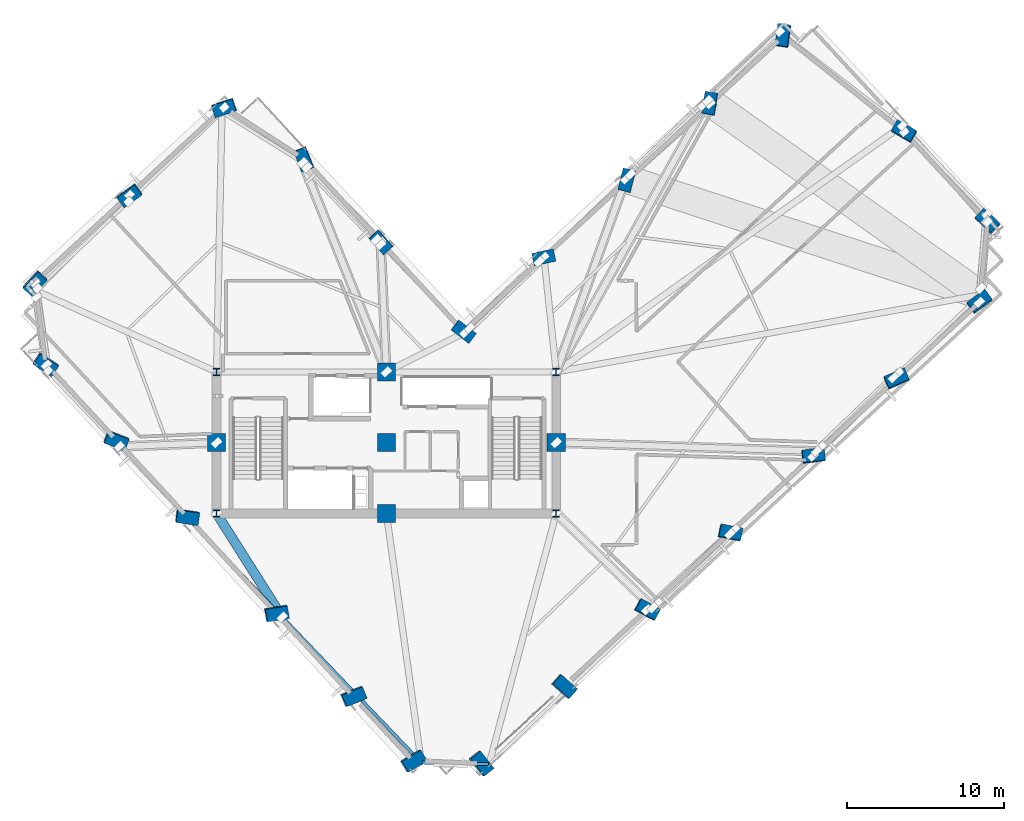
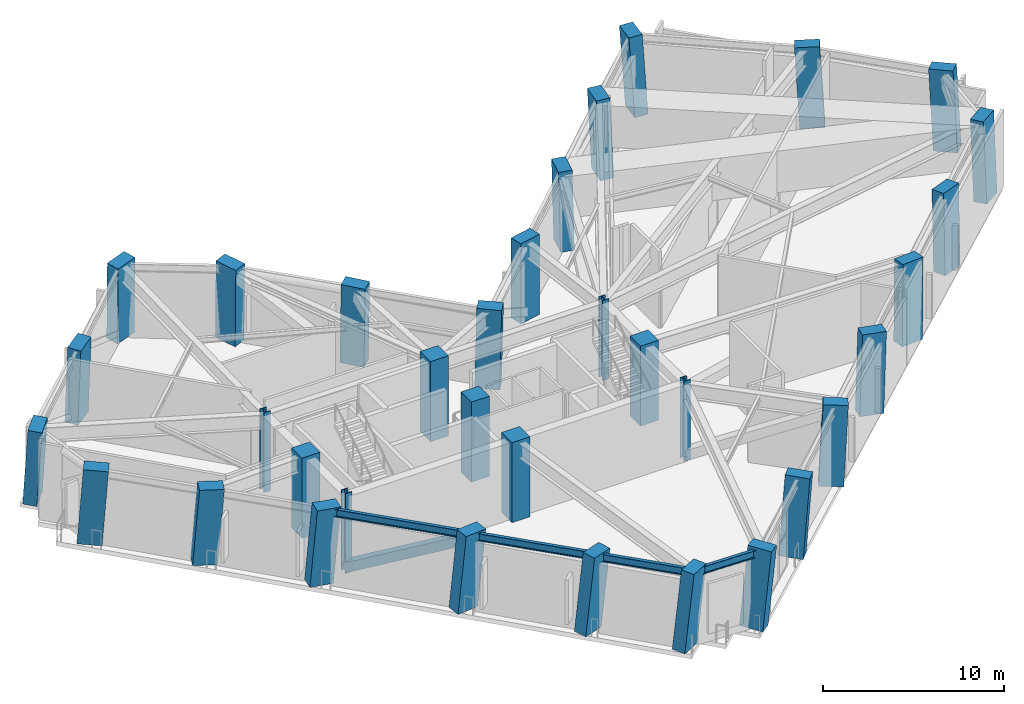
# One storey, part 1 of 15: 34 columns, 4 beams, 1 member.
"""IFC4 building model written with IfcOpenShell, lengths in metres."""

import ifcopenshell
import ifcopenshell.guid

model = None  # the IFC model being written
_history = None  # IfcOwnerHistory: only IFC2X3 demands one
_inside = {}  # id of a spatial element -> (the spatial element, [elements in it])
_under = {}  # id of a project, library or spatial element -> (it, [spatial elements below it])
_declared = {}  # id of a project -> (the project, [libraries it declares])
_typed = {}  # id of a type object -> (the type object, [elements of that type])
_made_of = {}  # id of a material, layer set ... -> (it, [elements and type objects made of it])


def new_model(schema):
    """Start an empty IFC model of exactly this schema.

    Asked for "IFC4X3", IfcOpenShell would pick the latest addendum, in which some entities
    have other attributes; the version numbers below select the first issue.
    IFC2X3 requires an IfcOwnerHistory on every rooted entity: one is made here for all.
    """
    global model, _history
    if schema == "IFC4X3":
        model = ifcopenshell.file(schema_version=(4, 3, 0, 0))
    else:
        model = ifcopenshell.file(schema=schema)
    _inside.clear()
    _under.clear()
    _declared.clear()
    _typed.clear()
    _made_of.clear()
    _history = None
    if model.schema == "IFC2X3":
        org = make("IfcOrganization", Name="unknown")
        user = make(
            "IfcPersonAndOrganization",
            ThePerson=make("IfcPerson", FamilyName="unknown"),
            TheOrganization=org,
        )
        app = make(
            "IfcApplication",
            ApplicationDeveloper=org,
            Version="unknown",
            ApplicationFullName="unknown",
            ApplicationIdentifier="unknown",
        )
        _history = make(
            "IfcOwnerHistory",
            OwningUser=user,
            OwningApplication=app,
            ChangeAction="ADDED",
            CreationDate=0,
        )
    return model


def make(cls, **values):
    """One entity of the class cls with the attributes given. An attribute that is None is left unset."""
    return model.create_entity(
        cls, **{name: value for name, value in values.items() if value is not None}
    )


def rooted(cls, **values):
    """An entity with a GlobalId (a new one), such as an element, a storey or a relation."""
    return make(cls, GlobalId=ifcopenshell.guid.new(), OwnerHistory=_history, **values)


def si_unit(unit_type, name, prefix=None):
    """IfcSIUnit, for example si_unit("LENGTHUNIT", "METRE", prefix="MILLI")."""
    return make("IfcSIUnit", UnitType=unit_type, Prefix=prefix, Name=name)


def assignment(units):
    """IfcUnitAssignment: the units of a project."""
    return None if units is None else make("IfcUnitAssignment", Units=units)


def point(xyz):
    """IfcCartesianPoint."""
    return None if xyz is None else make("IfcCartesianPoint", Coordinates=xyz)


def direction(xyz):
    """IfcDirection."""
    return None if xyz is None else make("IfcDirection", DirectionRatios=xyz)


def frame(location, z_axis=None, x_axis=None):
    """IfcAxis2Placement3D, a coordinate frame: its origin and axes. An axis left out is left unset."""
    return make(
        "IfcAxis2Placement3D",
        Location=point(location),
        Axis=direction(z_axis),
        RefDirection=direction(x_axis),
    )


def frame_2d(location, x_axis=None):
    """IfcAxis2Placement2D, a coordinate frame in the plane: its origin and x axis."""
    return make(
        "IfcAxis2Placement2D", Location=point(location), RefDirection=direction(x_axis)
    )


def origin():
    """The frame at (0, 0, 0) with its axes left unset."""
    return frame((0.0, 0.0, 0.0))


def origin_2d():
    """The frame at (0, 0) in the plane with its x axis left unset."""
    return frame_2d((0.0, 0.0))


def place(relative_to, where):
    """IfcLocalPlacement: puts the frame where relative to a parent placement (None: the world)."""
    return make(
        "IfcLocalPlacement", PlacementRelTo=relative_to, RelativePlacement=where
    )


def context(
    kind, dimensions, precision=None, world=None, true_north=None, identifier=None
):
    """IfcGeometricRepresentationContext, for example the 3D "Model" context."""
    return make(
        "IfcGeometricRepresentationContext",
        ContextIdentifier=identifier,
        ContextType=kind,
        CoordinateSpaceDimension=dimensions,
        Precision=precision,
        WorldCoordinateSystem=world,
        TrueNorth=true_north,
    )


def subcontext(parent, identifier, kind, view, scale=None):
    """IfcGeometricRepresentationSubContext, for example "Body" below "Model"."""
    return make(
        "IfcGeometricRepresentationSubContext",
        ContextIdentifier=identifier,
        ContextType=kind,
        ParentContext=parent,
        TargetScale=scale,
        TargetView=view,
    )


def project(units=None, contexts=None):
    """IfcProject with its units and contexts."""
    return rooted(
        "IfcProject",
        Name="project",
        RepresentationContexts=contexts,
        UnitsInContext=assignment(units),
    )


def spatial(cls, under=None, at=None, **own):
    """A site, building, storey or space (cls), placed at a placement, below another one or the project."""
    s = rooted(cls, ObjectPlacement=at, **own)
    if under is not None:
        _under.setdefault(under.id(), (under, []))[1].append(s)
    return s


def profile(cls, at=None, kind="AREA", **sizes):
    """A parametric profile (cls). Its sizes go by their IFC names, for example OverallWidth=200.0."""
    return make(cls, ProfileType=kind, Position=at, **sizes)


def rectangle(**sizes):
    """IfcRectangleProfileDef."""
    return profile("IfcRectangleProfileDef", **sizes)


def hollow_rectangle(**sizes):
    """IfcRectangleHollowProfileDef."""
    return profile("IfcRectangleHollowProfileDef", **sizes)


def i_section(**sizes):
    """IfcIShapeProfileDef."""
    return profile("IfcIShapeProfileDef", **sizes)


def extrude(swept, where, along, depth):
    """IfcExtrudedAreaSolid: the profile swept, set in the frame where, extruded along a direction by depth."""
    return make(
        "IfcExtrudedAreaSolid",
        SweptArea=swept,
        Position=where,
        ExtrudedDirection=direction(along),
        Depth=depth,
    )


def shape(context_of_items, identifier, shape_type, items):
    """IfcShapeRepresentation: the items that make up one representation, for example the "Body"."""
    return make(
        "IfcShapeRepresentation",
        ContextOfItems=context_of_items,
        RepresentationIdentifier=identifier,
        RepresentationType=shape_type,
        Items=items,
    )


def material(Name=None, Category=None):
    """IfcMaterial."""
    return make("IfcMaterial", Name=Name, Category=Category)


def material_profile(
    of_material, cross_section, Name=None, Category=None, Priority=None
):
    """IfcMaterialProfile: a cross section and its material."""
    return make(
        "IfcMaterialProfile",
        Name=Name,
        Material=of_material,
        Profile=cross_section,
        Priority=Priority,
        Category=Category,
    )


def profile_set(profiles, Name=None, composite=None):
    """IfcMaterialProfileSet."""
    return make(
        "IfcMaterialProfileSet",
        Name=Name,
        MaterialProfiles=profiles,
        CompositeProfile=composite,
    )


def made_of(thing, what):
    """Note that an element or type object is made of a material, layer set ...; save() writes the relation."""
    if what is not None:
        _made_of.setdefault(what.id(), (what, []))[1].append(thing)
    return thing


def type_object(cls, material=None, **own):
    """A type object (cls), such as IfcWallType, which elements share."""
    return made_of(rooted(cls, **own), material)


def element(
    cls,
    number,
    at=None,
    inside=None,
    cuts=None,
    type_object=None,
    material=None,
    context=None,
    identifier="Body",
    shape_type=None,
    held_by="IfcProductDefinitionShape",
    body=None,
    shapes=None,
    **own,
):
    """One element of the class cls, such as IfcWall. Its Tag is "e" and its number.

    at: its placement. inside: the storey or other place that contains it. cuts: it is an
    opening in that element (IfcRelVoidsElement). A single representation is given by context,
    identifier, shape_type and body (its items); several are given by shapes. held_by: the class
    of the entity that holds the representations. save() writes the other relations.
    """
    e = rooted(cls, Tag="e%d" % number, ObjectPlacement=at, **own)
    if body is not None:
        shapes = [shape(context, identifier, shape_type, body)]
    if shapes is not None:
        e.Representation = make(held_by, Representations=shapes)
    if inside is not None:
        _inside.setdefault(inside.id(), (inside, []))[1].append(e)
    if cuts is not None:
        rooted(
            "IfcRelVoidsElement", RelatingBuildingElement=cuts, RelatedOpeningElement=e
        )
    if type_object is not None:
        _typed.setdefault(type_object.id(), (type_object, []))[1].append(e)
    return made_of(e, material)


def aggregate(whole, parts):
    """IfcRelAggregates: a whole, such as a stair, and the parts it consists of."""
    return rooted("IfcRelAggregates", RelatingObject=whole, RelatedObjects=parts)


def save(model, path):
    """Write the relations noted so far, then the file.

    IfcRelAggregates (storeys below a building ...), IfcRelContainedInSpatialStructure (elements
    in a storey), IfcRelDefinesByType, IfcRelAssociatesMaterial and IfcRelDeclares: one each for
    every whole, place, type object, material and project.
    """
    for whole, parts in _under.values():
        aggregate(whole, parts)
    for where, things in _inside.values():
        rooted(
            "IfcRelContainedInSpatialStructure",
            RelatedElements=things,
            RelatingStructure=where,
        )
    for kind, things in _typed.values():
        rooted("IfcRelDefinesByType", RelatedObjects=things, RelatingType=kind)
    for what, things in _made_of.values():
        rooted("IfcRelAssociatesMaterial", RelatedObjects=things, RelatingMaterial=what)
    for by, libraries in _declared.values():
        rooted("IfcRelDeclares", RelatingContext=by, RelatedDefinitions=libraries)
    model.write(path)


model = new_model("IFC4")

# Units and contexts
model_context = context("Model", 3, precision=1e-05, world=origin(), true_north=direction((0.0, 1.0)))
body_context = subcontext(model_context, "Body", "Model", "MODEL_VIEW")
ifc_project = project(units=[si_unit("LENGTHUNIT", "METRE"), si_unit("AREAUNIT", "SQUARE_METRE"), si_unit("VOLUMEUNIT", "CUBIC_METRE"), si_unit("PLANEANGLEUNIT", "RADIAN"), si_unit("MASSUNIT", "GRAM", prefix="KILO")], contexts=[model_context])

# Site, building, storey
site_placement = place(None, origin())
site = spatial("IfcSite", under=ifc_project, at=site_placement, CompositionType="ELEMENT")
building_placement = place(site_placement, origin())
building = spatial("IfcBuilding", under=site, at=building_placement, Name="Gaonmaruhae Medical Tower", CompositionType="ELEMENT")
storey_placement = place(building_placement, frame((0.0, 0.0, 205.800048828125)))
storey = spatial("IfcBuildingStorey", under=building, at=storey_placement, Name="L49", CompositionType="ELEMENT", Elevation=205.800048828125)

# Columns
ifc_material_1 = material(Name="Concrete C50/60", Category="concrete")
ifc_material_profile_1 = material_profile(ifc_material_1, rectangle(XDim=1.14990234375, YDim=1.14990234375, at=origin_2d()), Name="RC-1150x1150")
ifc_profile_set_1 = profile_set([ifc_material_profile_1], Name="Concrete C50/60")
column_type_1 = type_object("IfcColumnType", Name="CC-04 Zone 3 Core Column (RC-1150x1150)", PredefinedType="COLUMN", material=ifc_profile_set_1)
for number, where, z_axis, x_axis, name in (
    (1, (14.0, 12.300048828125, 0.0), (0.0, 0.0, 1.0), (1.0, 0.0, 0.0), "L49 Plumb Core Column CC12"),
    (2, (24.800048828125, 7.800048828125, 0.0), (0.0, 0.0, 1.0), (1.0, 0.0, 0.0), "L49 Plumb Core Column CC21"),
    (3, (24.800048828125, 12.300048828125, 0.0), (0.0, 0.0, 1.0), (1.0, 0.0, 0.0), "L49 Plumb Core Column CC22"),
    (4, (24.800048828125, 16.800048828125, 0.0), (0.0, 0.0, 1.0), (1.0, 0.0, 0.0), "L49 Plumb Core Column CC23"),
    (5, (35.60009765625, 12.300048828125, 0.0), (0.0, 0.0, 1.0), (1.0, 0.0, 0.0), "L49 Plumb Core Column CC32"),
):
    element("IfcColumn", number, at=place(storey_placement, frame(where, z_axis=z_axis, x_axis=x_axis)), inside=storey, type_object=column_type_1, Name=name, PredefinedType="COLUMN", context=body_context, shape_type="SweptSolid", body=[
        extrude(rectangle(XDim=1.14990234375, YDim=1.14990234375, at=origin_2d()), origin(), (0.0, 0.0, 1.0), 5.39990234375),
    ])
ifc_material_2 = material(Name="Steel HSA650 (650 MPa)", Category="steel")
ifc_material_profile_2 = material_profile(ifc_material_2, i_section(OverallWidth=0.4169921875, OverallDepth=0.4580078125, WebThickness=0.030029296875, FlangeThickness=0.050048828125, FilletRadius=0.02197265625, at=origin_2d()), Name="H-458x417x30x50")
ifc_profile_set_2 = profile_set([ifc_material_profile_2], Name="Steel HSA650 (650 MPa)")
column_type_2 = type_object("IfcColumnType", Name="SC-03 Refuge Core Collector Column (H-458x417x30x50)", PredefinedType="COLUMN", material=ifc_profile_set_2)
for number, where, z_axis, x_axis, name in (
    (6, (14.0, 7.800048828125, 0.0), (0.0, 0.0, 1.0), (1.0, 0.0, 0.0), "L49 Plumb Core Column CC11"),
    (7, (14.0, 16.800048828125, 0.0), (0.0, 0.0, 1.0), (1.0, 0.0, 0.0), "L49 Plumb Core Column CC13"),
    (8, (35.60009765625, 7.800048828125, 0.0), (0.0, 0.0, 1.0), (1.0, 0.0, 0.0), "L49 Plumb Core Column CC31"),
    (9, (35.60009765625, 16.800048828125, 0.0), (0.0, 0.0, 1.0), (1.0, 0.0, 0.0), "L49 Plumb Core Column CC33"),
):
    element("IfcColumn", number, at=place(storey_placement, frame(where, z_axis=z_axis, x_axis=x_axis)), inside=storey, type_object=column_type_2, Name=name, PredefinedType="COLUMN", context=body_context, shape_type="SweptSolid", body=[
        extrude(i_section(OverallWidth=0.4169921875, OverallDepth=0.4580078125, WebThickness=0.030029296875, FlangeThickness=0.050048828125, FilletRadius=0.02197265625, at=origin_2d()), origin(), (0.0, 0.0, 1.0), 5.39990234375),
    ])
ifc_material_3 = material(Name="Concrete C60/75", Category="concrete")
ifc_material_profile_3 = material_profile(ifc_material_3, rectangle(XDim=1.39990234375, YDim=0.800048828125, at=origin_2d()), Name="RC-1400x800")
ifc_profile_set_3 = profile_set([ifc_material_profile_3], Name="Concrete C60/75")
column_type_3 = type_object("IfcColumnType", Name="TC-02 Mid Raking Tube Pier Column (RC-1400x800)", PredefinedType="COLUMN", material=ifc_profile_set_3)
column_1_placement = place(storey_placement, frame((30.7939453125, -8.10205078125, 0.080078125), z_axis=(0.100593032221, -0.00774149142, 0.994897538031), x_axis=(-0.617000382707, 0.78397729338, 0.068484532591)))
element("IfcColumn", 10, at=column_1_placement, inside=storey, type_object=column_type_3, Name="L49 Perimeter Tube Column S01", PredefinedType="COLUMN", context=body_context, shape_type="SweptSolid", body=[
    extrude(rectangle(XDim=1.39990234375, YDim=0.800048828125, at=origin_2d()), origin(), (0.0, 0.0, 1.0), 5.2666015625),
])
column_2_placement = place(storey_placement, frame((36.078857421875, -3.21337890625, 0.068603515625), z_axis=(0.085643355254, 0.008273157361, 0.996291508831), x_axis=(-0.743756896914, 0.665893751976, 0.058405388216)))
element("IfcColumn", 11, at=column_2_placement, inside=storey, type_object=column_type_3, Name="L49 Perimeter Tube Column S02", PredefinedType="COLUMN", context=body_context, shape_type="SweptSolid", body=[
    extrude(rectangle(XDim=1.39990234375, YDim=0.800048828125, at=origin_2d()), origin(), (0.0, 0.0, 1.0), 5.2822265625),
])
column_3_placement = place(storey_placement, frame((41.3642578125, 1.6748046875, 0.059814453125), z_axis=(0.070636125032, 0.024344565285, 0.997205034073), x_axis=(-0.879232372577, 0.473685928699, 0.050715638267)))
element("IfcColumn", 12, at=column_3_placement, inside=storey, type_object=column_type_3, Name="L49 Perimeter Tube Column S03", PredefinedType="COLUMN", context=body_context, shape_type="SweptSolid", body=[
    extrude(rectangle(XDim=1.39990234375, YDim=0.800048828125, at=origin_2d()), origin(), (0.0, 0.0, 1.0), 5.295166015625),
])
column_4_placement = place(storey_placement, frame((46.650390625, 6.56298828125, 0.05517578125), z_axis=(0.055531779321, 0.040428608826, 0.997638085216), x_axis=(-0.979678017867, 0.195081907658, 0.046626501183)))
element("IfcColumn", 13, at=column_4_placement, inside=storey, type_object=column_type_3, Name="L49 Perimeter Tube Column S04", PredefinedType="COLUMN", context=body_context, shape_type="SweptSolid", body=[
    extrude(rectangle(XDim=1.39990234375, YDim=0.800048828125, at=origin_2d()), origin(), (0.0, 0.0, 1.0), 5.302001953125),
])
column_5_placement = place(storey_placement, frame((51.9365234375, 11.451171875, 0.055908203125), z_axis=(0.040437563569, 0.056511264806, 0.997582718577), x_axis=(-0.991238913705, -0.123371328293, 0.047169177565)))
element("IfcColumn", 14, at=column_5_placement, inside=storey, type_object=column_type_3, Name="L49 Perimeter Tube Column S05", PredefinedType="COLUMN", context=body_context, shape_type="SweptSolid", body=[
    extrude(rectangle(XDim=1.39990234375, YDim=0.800048828125, at=origin_2d()), origin(), (0.0, 0.0, 1.0), 5.30078125),
])
column_6_placement = place(storey_placement, frame((57.222900390625, 16.33984375, 0.0615234375), z_axis=(0.025325163388, 0.072515768389, 0.997045685731), x_axis=(-0.916406346475, -0.396838642637, 0.052139235238)))
element("IfcColumn", 15, at=column_6_placement, inside=storey, type_object=column_type_3, Name="L49 Perimeter Tube Column S06", PredefinedType="COLUMN", context=body_context, shape_type="SweptSolid", body=[
    extrude(rectangle(XDim=1.39990234375, YDim=0.800048828125, at=origin_2d()), origin(), (0.0, 0.0, 1.0), 5.29248046875),
])
column_7_placement = place(storey_placement, frame((62.50927734375, 21.22900390625, 0.071044921875), z_axis=(0.010221064037, 0.088520889441, 0.996021878265), x_axis=(-0.807026544549, -0.587409096281, 0.060487271389)))
element("IfcColumn", 16, at=column_7_placement, inside=storey, type_object=column_type_3, Name="L49 Perimeter Tube Column S07", PredefinedType="COLUMN", context=body_context, shape_type="SweptSolid", body=[
    extrude(rectangle(XDim=1.39990234375, YDim=0.800048828125, at=origin_2d()), origin(), (0.0, 0.0, 1.0), 5.27880859375),
])
column_8_placement = place(storey_placement, frame((63.02734375, 26.33935546875, 0.0732421875), z_axis=(-0.00541517456, 0.089975208068, 0.995929283543), x_axis=(0.721510608022, -0.689232382256, 0.066190375139)))
element("IfcColumn", 17, at=column_8_placement, inside=storey, type_object=column_type_3, Name="L49 Perimeter Tube Column E01", PredefinedType="COLUMN", context=body_context, shape_type="SweptSolid", body=[
    extrude(rectangle(XDim=1.39990234375, YDim=0.800048828125, at=origin_2d()), origin(), (0.0, 0.0, 1.0), 5.27490234375),
])
column_9_placement = place(storey_placement, frame((57.731689453125, 32.065185546875, 0.06298828125), z_axis=(-0.02284621727, 0.073707896928, 0.997018152436), x_axis=(0.865125220728, -0.498344606017, 0.056665740212)))
element("IfcColumn", 18, at=column_9_placement, inside=storey, type_object=column_type_3, Name="L49 Perimeter Tube Column E02", PredefinedType="COLUMN", context=body_context, shape_type="SweptSolid", body=[
    extrude(rectangle(XDim=1.39990234375, YDim=0.800048828125, at=origin_2d()), origin(), (0.0, 0.0, 1.0), 5.289794921875),
])
column_10_placement = place(storey_placement, frame((50.045166015625, 38.16796875, 0.052490234375), z_axis=(-0.041364001214, 0.050060103806, 0.997889275126), x_axis=(-0.134613913939, -0.989917182228, 0.044080228035)))
element("IfcColumn", 19, at=column_10_placement, inside=storey, type_object=column_type_3, Name="L49 Perimeter Tube Column E03", PredefinedType="COLUMN", context=body_context, shape_type="SweptSolid", body=[
    extrude(rectangle(XDim=1.39990234375, YDim=0.800048828125, at=origin_2d()), origin(), (0.0, 0.0, 1.0), 5.30615234375),
])
column_11_placement = place(storey_placement, frame((45.38330078125, 33.856201171875, 0.03759765625), z_axis=(-0.028077158113, 0.035909448549, 0.998960552123), x_axis=(-0.160808230852, -0.986500540797, 0.030941814694)))
element("IfcColumn", 20, at=column_11_placement, inside=storey, type_object=column_type_3, Name="L49 Perimeter Tube Column EN01", PredefinedType="COLUMN", context=body_context, shape_type="SweptSolid", body=[
    extrude(rectangle(XDim=1.39990234375, YDim=0.800048828125, at=origin_2d()), origin(), (0.0, 0.0, 1.0), 5.330322265625),
])
column_12_placement = place(storey_placement, frame((40.096923828125, 28.968017578125, 0.020751953125), z_axis=(-0.012936052388, 0.019814023904, 0.999719992301), x_axis=(-0.243897369656, -0.969668020847, 0.016062453804)))
element("IfcColumn", 21, at=column_12_placement, inside=storey, type_object=column_type_3, Name="L49 Perimeter Tube Column EN02", PredefinedType="COLUMN", context=body_context, shape_type="SweptSolid", body=[
    extrude(rectangle(XDim=1.39990234375, YDim=0.800048828125, at=origin_2d()), origin(), (0.0, 0.0, 1.0), 5.35986328125),
])
column_13_placement = place(storey_placement, frame((34.81005859375, 24.080322265625, 0.005859375), z_axis=(0.002174877896, 0.003715416406, 0.999990732751), x_axis=(-0.976643791575, -0.214844977295, 0.00292234663)))
element("IfcColumn", 22, at=column_13_placement, inside=storey, type_object=column_type_3, Name="L49 Perimeter Tube Column EN03", PredefinedType="COLUMN", context=body_context, shape_type="SweptSolid", body=[
    extrude(rectangle(XDim=1.39990234375, YDim=0.800048828125, at=origin_2d()), origin(), (0.0, 0.0, 1.0), 5.38818359375),
])
column_14_placement = place(storey_placement, frame((29.706787109375, 19.3623046875, 0.01708984375), z_axis=(0.016785976689, -0.01182751745, 0.99978914818), x_axis=(-0.7940431154, 0.607515038185, 0.020518510306)))
element("IfcColumn", 23, at=column_14_placement, inside=storey, type_object=column_type_3, Name="L49 Perimeter Tube Column KN01", PredefinedType="COLUMN", context=body_context, shape_type="SweptSolid", body=[
    extrude(rectangle(XDim=1.39990234375, YDim=0.800048828125, at=origin_2d()), origin(), (0.0, 0.0, 1.0), 5.366943359375),
])
column_15_placement = place(storey_placement, frame((24.44580078125, 25.052734375, 0.0244140625), z_axis=(-0.000547279028, -0.028093656795, 0.999605145512), x_axis=(-0.664375359813, 0.747114202067, 0.020633718595)))
element("IfcColumn", 24, at=column_15_placement, inside=storey, type_object=column_type_3, Name="L49 Perimeter Tube Column NE01", PredefinedType="COLUMN", context=body_context, shape_type="SweptSolid", body=[
    extrude(rectangle(XDim=1.39990234375, YDim=0.800048828125, at=origin_2d()), origin(), (0.0, 0.0, 1.0), 5.353271484375),
])
column_16_placement = place(storey_placement, frame((19.557861328125, 30.3388671875, 0.038818359375), z_axis=(-0.016633517792, -0.043210488369, 0.998927514778), x_axis=(-0.3699681352, 0.928422084899, 0.034000164816)))
element("IfcColumn", 25, at=column_16_placement, inside=storey, type_object=column_type_3, Name="L49 Perimeter Tube Column NE02", PredefinedType="COLUMN", context=body_context, shape_type="SweptSolid", body=[
    extrude(rectangle(XDim=1.39990234375, YDim=0.800048828125, at=origin_2d()), origin(), (0.0, 0.0, 1.0), 5.327880859375),
])
column_17_placement = place(storey_placement, frame((14.484619140625, 33.615234375, 0.052001953125), z_axis=(-0.026544266885, -0.058793020935, 0.997917222311), x_axis=(0.948010383469, 0.31521254227, 0.04378773835)))
element("IfcColumn", 26, at=column_17_placement, inside=storey, type_object=column_type_3, Name="L49 Perimeter Tube Column N01", PredefinedType="COLUMN", context=body_context, shape_type="SweptSolid", body=[
    extrude(rectangle(XDim=1.39990234375, YDim=0.800048828125, at=origin_2d()), origin(), (0.0, 0.0, 1.0), 5.306884765625),
])
column_18_placement = place(storey_placement, frame((8.464111328125, 28.04736328125, 0.06201171875), z_axis=(-0.009319332036, -0.077045962875, 0.996983986659), x_axis=(0.810275325153, 0.583676887593, 0.052680056361)))
element("IfcColumn", 27, at=column_18_placement, inside=storey, type_object=column_type_3, Name="L49 Perimeter Tube Column N02", PredefinedType="COLUMN", context=body_context, shape_type="SweptSolid", body=[
    extrude(rectangle(XDim=1.39990234375, YDim=0.800048828125, at=origin_2d()), origin(), (0.0, 0.0, 1.0), 5.291748046875),
])
column_19_placement = place(storey_placement, frame((2.44384765625, 22.478515625, 0.075927734375), z_axis=(0.007826006643, -0.095162388472, 0.995430998834), x_axis=(0.676470366411, 0.733612255105, 0.064814369758)))
element("IfcColumn", 28, at=column_19_placement, inside=storey, type_object=column_type_3, Name="L49 Perimeter Tube Column N03", PredefinedType="COLUMN", context=body_context, shape_type="SweptSolid", body=[
    extrude(rectangle(XDim=1.39990234375, YDim=0.800048828125, at=origin_2d()), origin(), (0.0, 0.0, 1.0), 5.272216796875),
])
column_20_placement = place(storey_placement, frame((3.126953125, 17.3212890625, 0.077880859375), z_axis=(0.023587233822, -0.092958725041, 0.995390535337), x_axis=(-0.83772096456, 0.54153847836, 0.070424867716)))
element("IfcColumn", 29, at=column_20_placement, inside=storey, type_object=column_type_3, Name="L49 Perimeter Tube Column W01", PredefinedType="COLUMN", context=body_context, shape_type="SweptSolid", body=[
    extrude(rectangle(XDim=1.39990234375, YDim=0.800048828125, at=origin_2d()), origin(), (0.0, 0.0, 1.0), 5.268310546875),
])
column_21_placement = place(storey_placement, frame((7.60791015625, 12.476318359375, 0.071533203125), z_axis=(0.038351618172, -0.079155149208, 0.996124297333), x_axis=(-0.929819611646, 0.362303467841, 0.064588597972)))
element("IfcColumn", 30, at=column_21_placement, inside=storey, type_object=column_type_3, Name="L49 Perimeter Tube Column W02", PredefinedType="COLUMN", context=body_context, shape_type="SweptSolid", body=[
    extrude(rectangle(XDim=1.39990234375, YDim=0.800048828125, at=origin_2d()), origin(), (0.0, 0.0, 1.0), 5.27734375),
])
column_22_placement = place(storey_placement, frame((12.122802734375, 7.59423828125, 0.068603515625), z_axis=(0.053160053522, -0.065271300498, 0.996450533665), x_axis=(-0.988404737015, 0.138689996715, 0.061815537341)))
element("IfcColumn", 31, at=column_22_placement, inside=storey, type_object=column_type_3, Name="L49 Perimeter Tube Column W03", PredefinedType="COLUMN", context=body_context, shape_type="SweptSolid", body=[
    extrude(rectangle(XDim=1.39990234375, YDim=0.800048828125, at=origin_2d()), origin(), (0.0, 0.0, 1.0), 5.281494140625),
])
column_23_placement = place(storey_placement, frame((17.792236328125, 1.4638671875, 0.070068359375), z_axis=(0.071770389635, -0.04776985341, 0.996276594263), x_axis=(-0.985130661927, -0.1597169806, 0.063309280837)))
element("IfcColumn", 32, at=column_23_placement, inside=storey, type_object=column_type_3, Name="L49 Perimeter Tube Column W04", PredefinedType="COLUMN", context=body_context, shape_type="SweptSolid", body=[
    extrude(rectangle(XDim=1.39990234375, YDim=0.800048828125, at=origin_2d()), origin(), (0.0, 0.0, 1.0), 5.279541015625),
])
column_24_placement = place(storey_placement, frame((22.68115234375, -3.822265625, 0.075927734375), z_axis=(0.087768409603, -0.032698943103, 0.995604080644), x_axis=(-0.922074493605, -0.380851978018, 0.068777896767)))
element("IfcColumn", 33, at=column_24_placement, inside=storey, type_object=column_type_3, Name="L49 Perimeter Tube Column W05", PredefinedType="COLUMN", context=body_context, shape_type="SweptSolid", body=[
    extrude(rectangle(XDim=1.39990234375, YDim=0.800048828125, at=origin_2d()), origin(), (0.0, 0.0, 1.0), 5.271240234375),
])
column_25_placement = place(storey_placement, frame((26.484130859375, -7.933837890625, 0.082763671875), z_axis=(0.100170971925, -0.020925015442, 0.99475017975), x_axis=(-0.853834012303, -0.515092830984, 0.075145558106)))
element("IfcColumn", 34, at=column_25_placement, inside=storey, type_object=column_type_3, Name="L49 Perimeter Tube Column W06", PredefinedType="COLUMN", context=body_context, shape_type="SweptSolid", body=[
    extrude(rectangle(XDim=1.39990234375, YDim=0.800048828125, at=origin_2d()), origin(), (0.0, 0.0, 1.0), 5.261962890625),
])

# Member
ifc_material_profile_4 = material_profile(ifc_material_2, hollow_rectangle(XDim=0.60009765625, YDim=0.60009765625, WallThickness=0.028076171875, at=origin_2d()), Name="RHS-600x600x28")
ifc_profile_set_4 = profile_set([ifc_material_profile_4], Name="Steel HSA650 (650 MPa)")
member_type = type_object("IfcMemberType", Name="OT-D2 Outrigger Truss Diagonal Upper (RHS-600x600x28)", PredefinedType="BRACE", material=ifc_profile_set_4)
member_placement = place(storey_placement, frame((14.0, 7.800048828125, 0.349853515625), z_axis=(0.464135283513, -0.732588136025, 0.497888603558), x_axis=(0.844734211904, 0.535186052919, 0.0)))
element("IfcMember", 35, at=member_placement, inside=storey, type_object=member_type, Name="L49 Outrigger Truss Diagonal OTD08", PredefinedType="BRACE", context=body_context, shape_type="SweptSolid", body=[
    extrude(hollow_rectangle(XDim=0.60009765625, YDim=0.60009765625, WallThickness=0.028076171875, at=origin_2d()), origin(), (0.0, 0.0, 1.0), 8.998046875),
])

# Beams
ifc_material_4 = material(Name="Steel SM355", Category="steel")
ifc_material_profile_5 = material_profile(ifc_material_4, i_section(OverallWidth=0.199951171875, OverallDepth=0.5, WebThickness=0.010009765625, FlangeThickness=0.01611328125, FilletRadius=0.012939453125, at=origin_2d()), Name="H-500x200x10x16")
ifc_profile_set_5 = profile_set([ifc_material_profile_5], Name="Steel SM355")
beam_type = type_object("IfcBeamType", Name="SP-02 Upper Perimeter Spandrel Beam (H-500x200x10x16)", PredefinedType="SPANDREL", material=ifc_profile_set_5)
beam_1_placement = place(storey_placement, frame((12.43505859375, 7.216064453125, 4.929931640625), z_axis=(0.690894806041, -0.722955300822, 0.0), x_axis=(0.722955300822, 0.690894806041, 0.0)))
element("IfcBeam", 36, at=beam_1_placement, inside=storey, type_object=beam_type, Name="L49 Perimeter Spandrel Beam W03-W04", PredefinedType="SPANDREL", context=body_context, shape_type="SweptSolid", body=[
    extrude(i_section(OverallWidth=0.199951171875, OverallDepth=0.5, WebThickness=0.010009765625, FlangeThickness=0.01611328125, FilletRadius=0.012939453125, at=origin_2d()), origin(), (0.0, 0.0, 1.0), 8.269775390625),
])
beam_2_placement = place(storey_placement, frame((18.203857421875, 1.179443359375, 4.929931640625), z_axis=(0.690859763046, -0.722988788159, 0.0), x_axis=(0.722988788159, 0.690859763046, 0.0)))
element("IfcBeam", 37, at=beam_2_placement, inside=storey, type_object=beam_type, Name="L49 Perimeter Spandrel Beam W04-W05", PredefinedType="SPANDREL", context=body_context, shape_type="SweptSolid", body=[
    extrude(i_section(OverallWidth=0.199951171875, OverallDepth=0.5, WebThickness=0.010009765625, FlangeThickness=0.01611328125, FilletRadius=0.012939453125, at=origin_2d()), origin(), (0.0, 0.0, 1.0), 7.1201171875),
])
beam_3_placement = place(storey_placement, frame((23.17822265625, -4.02587890625, 4.929931640625), z_axis=(0.690870101123, -0.722978909356, 0.0), x_axis=(0.722978909356, 0.690870101123, 0.0)))
element("IfcBeam", 38, at=beam_3_placement, inside=storey, type_object=beam_type, Name="L49 Perimeter Spandrel Beam W05-W06", PredefinedType="SPANDREL", context=body_context, shape_type="SweptSolid", body=[
    extrude(i_section(OverallWidth=0.199951171875, OverallDepth=0.5, WebThickness=0.010009765625, FlangeThickness=0.01611328125, FilletRadius=0.012939453125, at=origin_2d()), origin(), (0.0, 0.0, 1.0), 5.520263671875),
])
beam_4_placement = place(storey_placement, frame((27.0595703125, -8.046630859375, 4.929931640625), z_axis=(0.999743114233, -0.022665073198, 0.0), x_axis=(0.022665073198, 0.999743114233, 0.0)))
element("IfcBeam", 39, at=beam_4_placement, inside=storey, type_object=beam_type, Name="L49 Perimeter Spandrel Beam W06-S01", PredefinedType="SPANDREL", context=body_context, shape_type="SweptSolid", body=[
    extrude(i_section(OverallWidth=0.199951171875, OverallDepth=0.5, WebThickness=0.010009765625, FlangeThickness=0.01611328125, FilletRadius=0.012939453125, at=origin_2d()), origin(), (0.0, 0.0, 1.0), 4.233154296875),
])

save(model, "model.ifc")
